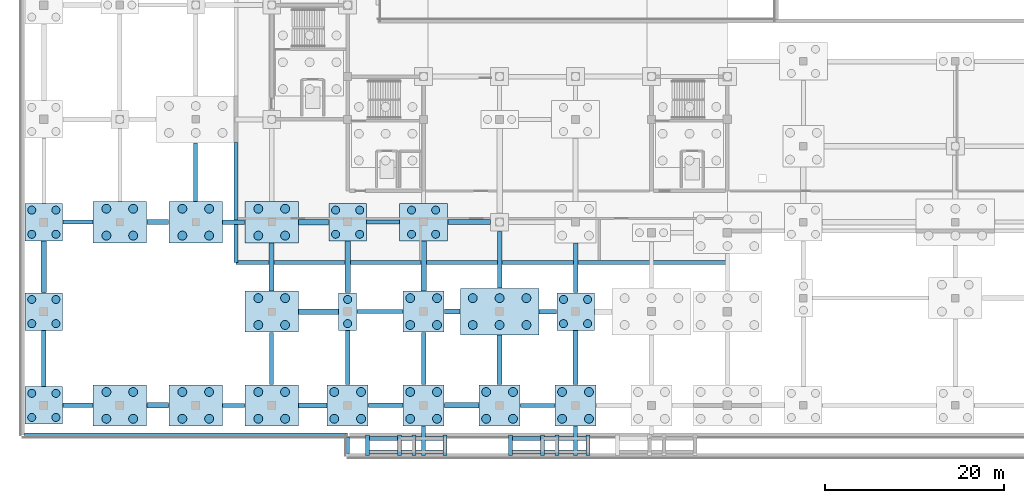
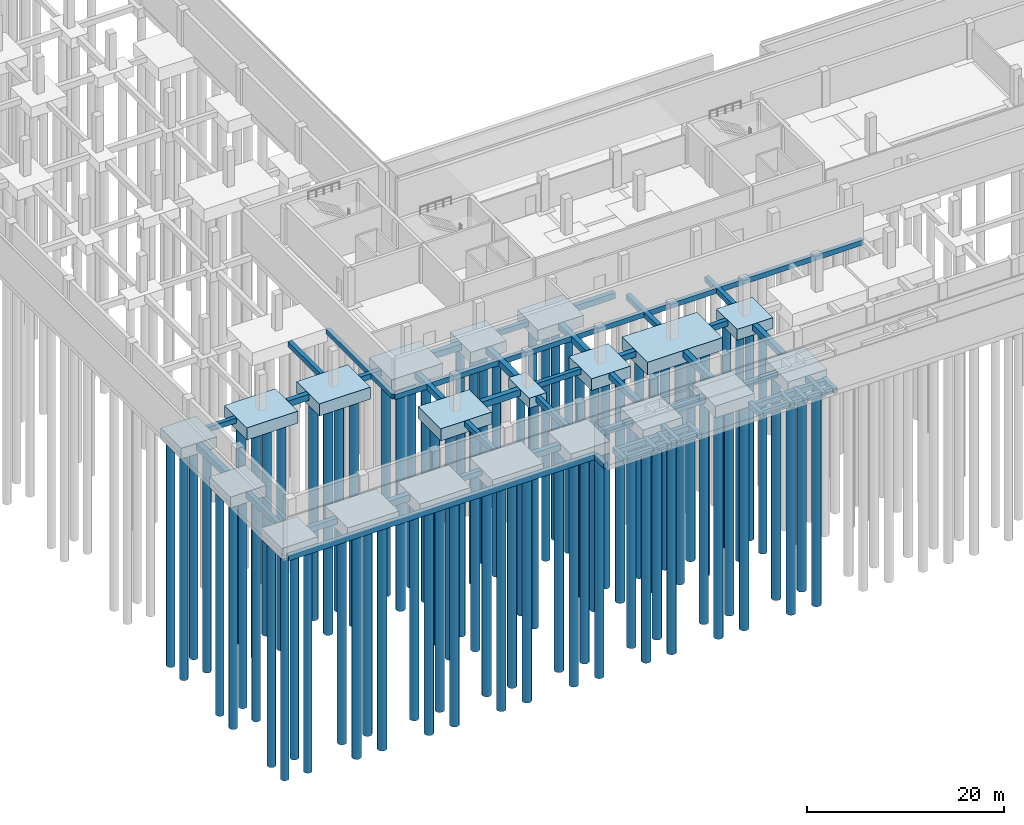
# One storey, part 1 of 25: 80 piles, 68 footings.
"""IFC4 building model written with IfcOpenShell, lengths in metres."""

import ifcopenshell
import ifcopenshell.guid

model = None  # the IFC model being written
_history = None  # IfcOwnerHistory: only IFC2X3 demands one
_inside = {}  # id of a spatial element -> (the spatial element, [elements in it])
_under = {}  # id of a project, library or spatial element -> (it, [spatial elements below it])
_declared = {}  # id of a project -> (the project, [libraries it declares])
_typed = {}  # id of a type object -> (the type object, [elements of that type])
_made_of = {}  # id of a material, layer set ... -> (it, [elements and type objects made of it])


def new_model(schema):
    """Start an empty IFC model of exactly this schema.

    Asked for "IFC4X3", IfcOpenShell would pick the latest addendum, in which some entities
    have other attributes; the version numbers below select the first issue.
    IFC2X3 requires an IfcOwnerHistory on every rooted entity: one is made here for all.
    """
    global model, _history
    if schema == "IFC4X3":
        model = ifcopenshell.file(schema_version=(4, 3, 0, 0))
    else:
        model = ifcopenshell.file(schema=schema)
    _inside.clear()
    _under.clear()
    _declared.clear()
    _typed.clear()
    _made_of.clear()
    _history = None
    if model.schema == "IFC2X3":
        org = make("IfcOrganization", Name="unknown")
        user = make(
            "IfcPersonAndOrganization",
            ThePerson=make("IfcPerson", FamilyName="unknown"),
            TheOrganization=org,
        )
        app = make(
            "IfcApplication",
            ApplicationDeveloper=org,
            Version="unknown",
            ApplicationFullName="unknown",
            ApplicationIdentifier="unknown",
        )
        _history = make(
            "IfcOwnerHistory",
            OwningUser=user,
            OwningApplication=app,
            ChangeAction="ADDED",
            CreationDate=0,
        )
    return model


def make(cls, **values):
    """One entity of the class cls with the attributes given. An attribute that is None is left unset."""
    return model.create_entity(
        cls, **{name: value for name, value in values.items() if value is not None}
    )


def rooted(cls, **values):
    """An entity with a GlobalId (a new one), such as an element, a storey or a relation."""
    return make(cls, GlobalId=ifcopenshell.guid.new(), OwnerHistory=_history, **values)


def si_unit(unit_type, name, prefix=None):
    """IfcSIUnit, for example si_unit("LENGTHUNIT", "METRE", prefix="MILLI")."""
    return make("IfcSIUnit", UnitType=unit_type, Prefix=prefix, Name=name)


def assignment(units):
    """IfcUnitAssignment: the units of a project."""
    return None if units is None else make("IfcUnitAssignment", Units=units)


def point(xyz):
    """IfcCartesianPoint."""
    return None if xyz is None else make("IfcCartesianPoint", Coordinates=xyz)


def direction(xyz):
    """IfcDirection."""
    return None if xyz is None else make("IfcDirection", DirectionRatios=xyz)


def frame(location, z_axis=None, x_axis=None):
    """IfcAxis2Placement3D, a coordinate frame: its origin and axes. An axis left out is left unset."""
    return make(
        "IfcAxis2Placement3D",
        Location=point(location),
        Axis=direction(z_axis),
        RefDirection=direction(x_axis),
    )


def frame_2d(location, x_axis=None):
    """IfcAxis2Placement2D, a coordinate frame in the plane: its origin and x axis."""
    return make(
        "IfcAxis2Placement2D", Location=point(location), RefDirection=direction(x_axis)
    )


def origin():
    """The frame at (0, 0, 0) with its axes left unset."""
    return frame((0.0, 0.0, 0.0))


def origin_2d():
    """The frame at (0, 0) in the plane with its x axis left unset."""
    return frame_2d((0.0, 0.0))


def place(relative_to, where):
    """IfcLocalPlacement: puts the frame where relative to a parent placement (None: the world)."""
    return make(
        "IfcLocalPlacement", PlacementRelTo=relative_to, RelativePlacement=where
    )


def context(
    kind, dimensions, precision=None, world=None, true_north=None, identifier=None
):
    """IfcGeometricRepresentationContext, for example the 3D "Model" context."""
    return make(
        "IfcGeometricRepresentationContext",
        ContextIdentifier=identifier,
        ContextType=kind,
        CoordinateSpaceDimension=dimensions,
        Precision=precision,
        WorldCoordinateSystem=world,
        TrueNorth=true_north,
    )


def subcontext(parent, identifier, kind, view, scale=None):
    """IfcGeometricRepresentationSubContext, for example "Body" below "Model"."""
    return make(
        "IfcGeometricRepresentationSubContext",
        ContextIdentifier=identifier,
        ContextType=kind,
        ParentContext=parent,
        TargetScale=scale,
        TargetView=view,
    )


def project(units=None, contexts=None):
    """IfcProject with its units and contexts."""
    return rooted(
        "IfcProject",
        Name="project",
        RepresentationContexts=contexts,
        UnitsInContext=assignment(units),
    )


def spatial(cls, under=None, at=None, **own):
    """A site, building, storey or space (cls), placed at a placement, below another one or the project."""
    s = rooted(cls, ObjectPlacement=at, **own)
    if under is not None:
        _under.setdefault(under.id(), (under, []))[1].append(s)
    return s


def profile(cls, at=None, kind="AREA", **sizes):
    """A parametric profile (cls). Its sizes go by their IFC names, for example OverallWidth=200.0."""
    return make(cls, ProfileType=kind, Position=at, **sizes)


def rectangle(**sizes):
    """IfcRectangleProfileDef."""
    return profile("IfcRectangleProfileDef", **sizes)


def circle(**sizes):
    """IfcCircleProfileDef."""
    return profile("IfcCircleProfileDef", **sizes)


def extrude(swept, where, along, depth):
    """IfcExtrudedAreaSolid: the profile swept, set in the frame where, extruded along a direction by depth."""
    return make(
        "IfcExtrudedAreaSolid",
        SweptArea=swept,
        Position=where,
        ExtrudedDirection=direction(along),
        Depth=depth,
    )


def shape(context_of_items, identifier, shape_type, items):
    """IfcShapeRepresentation: the items that make up one representation, for example the "Body"."""
    return make(
        "IfcShapeRepresentation",
        ContextOfItems=context_of_items,
        RepresentationIdentifier=identifier,
        RepresentationType=shape_type,
        Items=items,
    )


def material(Name=None, Category=None):
    """IfcMaterial."""
    return make("IfcMaterial", Name=Name, Category=Category)


def material_profile(
    of_material, cross_section, Name=None, Category=None, Priority=None
):
    """IfcMaterialProfile: a cross section and its material."""
    return make(
        "IfcMaterialProfile",
        Name=Name,
        Material=of_material,
        Profile=cross_section,
        Priority=Priority,
        Category=Category,
    )


def profile_set(profiles, Name=None, composite=None):
    """IfcMaterialProfileSet."""
    return make(
        "IfcMaterialProfileSet",
        Name=Name,
        MaterialProfiles=profiles,
        CompositeProfile=composite,
    )


def made_of(thing, what):
    """Note that an element or type object is made of a material, layer set ...; save() writes the relation."""
    if what is not None:
        _made_of.setdefault(what.id(), (what, []))[1].append(thing)
    return thing


def type_object(cls, material=None, **own):
    """A type object (cls), such as IfcWallType, which elements share."""
    return made_of(rooted(cls, **own), material)


def element(
    cls,
    number,
    at=None,
    inside=None,
    cuts=None,
    type_object=None,
    material=None,
    context=None,
    identifier="Body",
    shape_type=None,
    held_by="IfcProductDefinitionShape",
    body=None,
    shapes=None,
    **own,
):
    """One element of the class cls, such as IfcWall. Its Tag is "e" and its number.

    at: its placement. inside: the storey or other place that contains it. cuts: it is an
    opening in that element (IfcRelVoidsElement). A single representation is given by context,
    identifier, shape_type and body (its items); several are given by shapes. held_by: the class
    of the entity that holds the representations. save() writes the other relations.
    """
    e = rooted(cls, Tag="e%d" % number, ObjectPlacement=at, **own)
    if body is not None:
        shapes = [shape(context, identifier, shape_type, body)]
    if shapes is not None:
        e.Representation = make(held_by, Representations=shapes)
    if inside is not None:
        _inside.setdefault(inside.id(), (inside, []))[1].append(e)
    if cuts is not None:
        rooted(
            "IfcRelVoidsElement", RelatingBuildingElement=cuts, RelatedOpeningElement=e
        )
    if type_object is not None:
        _typed.setdefault(type_object.id(), (type_object, []))[1].append(e)
    return made_of(e, material)


def aggregate(whole, parts):
    """IfcRelAggregates: a whole, such as a stair, and the parts it consists of."""
    return rooted("IfcRelAggregates", RelatingObject=whole, RelatedObjects=parts)


def save(model, path):
    """Write the relations noted so far, then the file.

    IfcRelAggregates (storeys below a building ...), IfcRelContainedInSpatialStructure (elements
    in a storey), IfcRelDefinesByType, IfcRelAssociatesMaterial and IfcRelDeclares: one each for
    every whole, place, type object, material and project.
    """
    for whole, parts in _under.values():
        aggregate(whole, parts)
    for where, things in _inside.values():
        rooted(
            "IfcRelContainedInSpatialStructure",
            RelatedElements=things,
            RelatingStructure=where,
        )
    for kind, things in _typed.values():
        rooted("IfcRelDefinesByType", RelatedObjects=things, RelatingType=kind)
    for what, things in _made_of.values():
        rooted("IfcRelAssociatesMaterial", RelatedObjects=things, RelatingMaterial=what)
    for by, libraries in _declared.values():
        rooted("IfcRelDeclares", RelatingContext=by, RelatedDefinitions=libraries)
    model.write(path)


model = new_model("IFC4")

# Units and contexts
model_context = context("Model", 3, precision=1e-05, world=origin(), true_north=direction((0.0, 1.0)))
body_context = subcontext(model_context, "Body", "Model", "MODEL_VIEW")
ifc_project = project(units=[si_unit("LENGTHUNIT", "METRE"), si_unit("AREAUNIT", "SQUARE_METRE"), si_unit("VOLUMEUNIT", "CUBIC_METRE"), si_unit("PLANEANGLEUNIT", "RADIAN"), si_unit("MASSUNIT", "GRAM", prefix="KILO")], contexts=[model_context])

# Site, building, storey
site_placement = place(None, origin())
site = spatial("IfcSite", under=ifc_project, at=site_placement, CompositionType="ELEMENT")
building_placement = place(site_placement, origin())
building = spatial("IfcBuilding", under=site, at=building_placement, Name="Solvikara Media Centre", CompositionType="ELEMENT")
storey_placement = place(building_placement, frame((0.0, 0.0, -4.800048828125)))
storey = spatial("IfcBuildingStorey", under=building, at=storey_placement, Name="B01", CompositionType="ELEMENT", Elevation=-4.800048828125)

# Piles
ifc_material = material(Name="Concrete fc' 35 MPa (C35/45)", Category="concrete")
ifc_material_profile_1 = material_profile(ifc_material, circle(Radius=0.449951171875, at=origin_2d()), Name="BORED PILE D900")
ifc_profile_set_1 = profile_set([ifc_material_profile_1], Name="Concrete fc' 35 MPa (C35/45)")
pile_type_1 = type_object("IfcPileType", Name="BP-01", PredefinedType="BORED", material=ifc_profile_set_1)
for number, where, z_axis, x_axis, name in (
    (1, (-1.35009765625, -1.35009765625, -1.25), (0.0, 0.0, -1.0), (1.0, 0.0, 0.0), "PL-005-01"),
    (2, (1.35009765625, -1.35009765625, -1.25), (0.0, 0.0, -1.0), (1.0, 0.0, 0.0), "PL-005-02"),
    (3, (-1.35009765625, 1.35009765625, -1.25), (0.0, 0.0, -1.0), (1.0, 0.0, 0.0), "PL-005-03"),
    (4, (1.35009765625, 1.35009765625, -1.25), (0.0, 0.0, -1.0), (1.0, 0.0, 0.0), "PL-005-04"),
    (5, (-1.35009765625, 9.14990234375, -1.25), (0.0, 0.0, -1.0), (1.0, 0.0, 0.0), "PL-006-01"),
    (6, (1.35009765625, 9.14990234375, -1.25), (0.0, 0.0, -1.0), (1.0, 0.0, 0.0), "PL-006-02"),
    (7, (-1.35009765625, 11.85009765625, -1.25), (0.0, 0.0, -1.0), (1.0, 0.0, 0.0), "PL-006-03"),
    (8, (1.35009765625, 11.85009765625, -1.25), (0.0, 0.0, -1.0), (1.0, 0.0, 0.0), "PL-006-04"),
    (9, (-1.35009765625, 19.14990234375, -1.25), (0.0, 0.0, -1.0), (1.0, 0.0, 0.0), "PL-007-01"),
    (10, (1.35009765625, 19.14990234375, -1.25), (0.0, 0.0, -1.0), (1.0, 0.0, 0.0), "PL-007-02"),
    (11, (-1.35009765625, 21.85009765625, -1.25), (0.0, 0.0, -1.0), (1.0, 0.0, 0.0), "PL-007-03"),
    (12, (1.35009765625, 21.85009765625, -1.25), (0.0, 0.0, -1.0), (1.0, 0.0, 0.0), "PL-007-04"),
    (13, (34.0, 9.14990234375, -1.14990234375), (0.0, 0.0, -1.0), (1.0, 0.0, 0.0), "PL-055-01"),
    (14, (34.0, 11.85009765625, -1.14990234375), (0.0, 0.0, -1.0), (1.0, 0.0, 0.0), "PL-055-02"),
    (15, (32.64990234375, 19.14990234375, -1.25), (0.0, 0.0, -1.0), (1.0, 0.0, 0.0), "PL-056-01"),
    (16, (35.35009765625, 19.14990234375, -1.25), (0.0, 0.0, -1.0), (1.0, 0.0, 0.0), "PL-056-02"),
    (17, (32.64990234375, 21.85009765625, -1.25), (0.0, 0.0, -1.0), (1.0, 0.0, 0.0), "PL-056-03"),
    (18, (35.35009765625, 21.85009765625, -1.25), (0.0, 0.0, -1.0), (1.0, 0.0, 0.0), "PL-056-04"),
    (19, (41.14990234375, 19.14990234375, -1.300048828125), (0.0, 0.0, -1.0), (1.0, 0.0, 0.0), "PL-059-01"),
    (20, (43.85009765625, 19.14990234375, -1.300048828125), (0.0, 0.0, -1.0), (1.0, 0.0, 0.0), "PL-059-02"),
    (21, (41.14990234375, 21.85009765625, -1.300048828125), (0.0, 0.0, -1.0), (1.0, 0.0, 0.0), "PL-059-03"),
    (22, (43.85009765625, 21.85009765625, -1.300048828125), (0.0, 0.0, -1.0), (1.0, 0.0, 0.0), "PL-059-04"),
    (23, (58.14990234375, 9.14990234375, -1.25), (0.0, 0.0, -1.0), (1.0, 0.0, 0.0), "PL-067-01"),
    (24, (60.85009765625, 9.14990234375, -1.25), (0.0, 0.0, -1.0), (1.0, 0.0, 0.0), "PL-067-02"),
    (25, (58.14990234375, 11.85009765625, -1.25), (0.0, 0.0, -1.0), (1.0, 0.0, 0.0), "PL-067-03"),
    (26, (60.85009765625, 11.85009765625, -1.25), (0.0, 0.0, -1.0), (1.0, 0.0, 0.0), "PL-067-04"),
):
    element("IfcPile", number, at=place(storey_placement, frame(where, z_axis=z_axis, x_axis=x_axis)), inside=storey, type_object=pile_type_1, Name=name, PredefinedType="BORED", context=body_context, shape_type="SweptSolid", body=[
        extrude(circle(Radius=0.449951171875, at=origin_2d()), origin(), (0.0, 0.0, 1.0), 28.0),
    ])
ifc_material_profile_2 = material_profile(ifc_material, circle(Radius=0.5, at=origin_2d()), Name="BORED PILE D1000")
ifc_profile_set_2 = profile_set([ifc_material_profile_2], Name="Concrete fc' 35 MPa (C35/45)")
pile_type_2 = type_object("IfcPileType", Name="BP-02", PredefinedType="BORED", material=ifc_profile_set_2)
for number, where, z_axis, x_axis, name in (
    (27, (7.0, -1.5, -1.39990234375), (0.0, 0.0, -1.0), (1.0, 0.0, 0.0), "PL-016-01"),
    (28, (10.0, -1.5, -1.39990234375), (0.0, 0.0, -1.0), (1.0, 0.0, 0.0), "PL-016-02"),
    (29, (7.0, 1.5, -1.39990234375), (0.0, 0.0, -1.0), (1.0, 0.0, 0.0), "PL-016-03"),
    (30, (10.0, 1.5, -1.39990234375), (0.0, 0.0, -1.0), (1.0, 0.0, 0.0), "PL-016-04"),
    (31, (7.0, 19.0, -1.39990234375), (0.0, 0.0, -1.0), (1.0, 0.0, 0.0), "PL-017-01"),
    (32, (10.0, 19.0, -1.39990234375), (0.0, 0.0, -1.0), (1.0, 0.0, 0.0), "PL-017-02"),
    (33, (7.0, 22.0, -1.39990234375), (0.0, 0.0, -1.0), (1.0, 0.0, 0.0), "PL-017-03"),
    (34, (10.0, 22.0, -1.39990234375), (0.0, 0.0, -1.0), (1.0, 0.0, 0.0), "PL-017-04"),
    (35, (15.5, -1.5, -1.39990234375), (0.0, 0.0, -1.0), (1.0, 0.0, 0.0), "PL-026-01"),
    (36, (18.5, -1.5, -1.39990234375), (0.0, 0.0, -1.0), (1.0, 0.0, 0.0), "PL-026-02"),
    (37, (15.5, 1.5, -1.39990234375), (0.0, 0.0, -1.0), (1.0, 0.0, 0.0), "PL-026-03"),
    (38, (18.5, 1.5, -1.39990234375), (0.0, 0.0, -1.0), (1.0, 0.0, 0.0), "PL-026-04"),
    (39, (15.5, 19.0, -1.39990234375), (0.0, 0.0, -1.0), (1.0, 0.0, 0.0), "PL-027-01"),
    (40, (18.5, 19.0, -1.39990234375), (0.0, 0.0, -1.0), (1.0, 0.0, 0.0), "PL-027-02"),
    (41, (15.5, 22.0, -1.39990234375), (0.0, 0.0, -1.0), (1.0, 0.0, 0.0), "PL-027-03"),
    (42, (18.5, 22.0, -1.39990234375), (0.0, 0.0, -1.0), (1.0, 0.0, 0.0), "PL-027-04"),
    (43, (24.0, -1.5, -1.39990234375), (0.0, 0.0, -1.0), (1.0, 0.0, 0.0), "PL-036-01"),
    (44, (27.0, -1.5, -1.39990234375), (0.0, 0.0, -1.0), (1.0, 0.0, 0.0), "PL-036-02"),
    (45, (24.0, 1.5, -1.39990234375), (0.0, 0.0, -1.0), (1.0, 0.0, 0.0), "PL-036-03"),
    (46, (27.0, 1.5, -1.39990234375), (0.0, 0.0, -1.0), (1.0, 0.0, 0.0), "PL-036-04"),
    (47, (24.0, 9.0, -1.39990234375), (0.0, 0.0, -1.0), (1.0, 0.0, 0.0), "PL-037-01"),
    (48, (27.0, 9.0, -1.39990234375), (0.0, 0.0, -1.0), (1.0, 0.0, 0.0), "PL-037-02"),
    (49, (24.0, 12.0, -1.39990234375), (0.0, 0.0, -1.0), (1.0, 0.0, 0.0), "PL-037-03"),
    (50, (27.0, 12.0, -1.39990234375), (0.0, 0.0, -1.0), (1.0, 0.0, 0.0), "PL-037-04"),
    (51, (24.0, 19.0, -1.39990234375), (0.0, 0.0, -1.0), (1.0, 0.0, 0.0), "PL-038-01"),
    (52, (27.0, 19.0, -1.39990234375), (0.0, 0.0, -1.0), (1.0, 0.0, 0.0), "PL-038-02"),
    (53, (24.0, 22.0, -1.39990234375), (0.0, 0.0, -1.0), (1.0, 0.0, 0.0), "PL-038-03"),
    (54, (27.0, 22.0, -1.39990234375), (0.0, 0.0, -1.0), (1.0, 0.0, 0.0), "PL-038-04"),
    (55, (32.5, -1.5, -1.349853515625), (0.0, 0.0, -1.0), (1.0, 0.0, 0.0), "PL-054-01"),
    (56, (35.5, -1.5, -1.349853515625), (0.0, 0.0, -1.0), (1.0, 0.0, 0.0), "PL-054-02"),
    (57, (32.5, 1.5, -1.349853515625), (0.0, 0.0, -1.0), (1.0, 0.0, 0.0), "PL-054-03"),
    (58, (35.5, 1.5, -1.349853515625), (0.0, 0.0, -1.0), (1.0, 0.0, 0.0), "PL-054-04"),
    (59, (41.0, -1.5, -1.349853515625), (0.0, 0.0, -1.0), (1.0, 0.0, 0.0), "PL-057-01"),
    (60, (44.0, -1.5, -1.349853515625), (0.0, 0.0, -1.0), (1.0, 0.0, 0.0), "PL-057-02"),
    (61, (41.0, 1.5, -1.349853515625), (0.0, 0.0, -1.0), (1.0, 0.0, 0.0), "PL-057-03"),
    (62, (44.0, 1.5, -1.349853515625), (0.0, 0.0, -1.0), (1.0, 0.0, 0.0), "PL-057-04"),
    (63, (41.0, 9.0, -1.349853515625), (0.0, 0.0, -1.0), (1.0, 0.0, 0.0), "PL-058-01"),
    (64, (44.0, 9.0, -1.349853515625), (0.0, 0.0, -1.0), (1.0, 0.0, 0.0), "PL-058-02"),
    (65, (41.0, 12.0, -1.349853515625), (0.0, 0.0, -1.0), (1.0, 0.0, 0.0), "PL-058-03"),
    (66, (44.0, 12.0, -1.349853515625), (0.0, 0.0, -1.0), (1.0, 0.0, 0.0), "PL-058-04"),
    (67, (49.5, -1.5, -1.349853515625), (0.0, 0.0, -1.0), (1.0, 0.0, 0.0), "PL-061-01"),
    (68, (52.5, -1.5, -1.349853515625), (0.0, 0.0, -1.0), (1.0, 0.0, 0.0), "PL-061-02"),
    (69, (49.5, 1.5, -1.349853515625), (0.0, 0.0, -1.0), (1.0, 0.0, 0.0), "PL-061-03"),
    (70, (52.5, 1.5, -1.349853515625), (0.0, 0.0, -1.0), (1.0, 0.0, 0.0), "PL-061-04"),
    (71, (48.0, 9.0, -1.5), (0.0, 0.0, -1.0), (1.0, 0.0, 0.0), "PL-062-01"),
    (72, (51.0, 9.0, -1.5), (0.0, 0.0, -1.0), (1.0, 0.0, 0.0), "PL-062-02"),
    (73, (54.0, 9.0, -1.5), (0.0, 0.0, -1.0), (1.0, 0.0, 0.0), "PL-062-03"),
    (74, (48.0, 12.0, -1.5), (0.0, 0.0, -1.0), (1.0, 0.0, 0.0), "PL-062-04"),
    (75, (51.0, 12.0, -1.5), (0.0, 0.0, -1.0), (1.0, 0.0, 0.0), "PL-062-05"),
    (76, (54.0, 12.0, -1.5), (0.0, 0.0, -1.0), (1.0, 0.0, 0.0), "PL-062-06"),
    (77, (58.0, -1.5, -1.349853515625), (0.0, 0.0, -1.0), (1.0, 0.0, 0.0), "PL-066-01"),
    (78, (61.0, -1.5, -1.349853515625), (0.0, 0.0, -1.0), (1.0, 0.0, 0.0), "PL-066-02"),
    (79, (58.0, 1.5, -1.349853515625), (0.0, 0.0, -1.0), (1.0, 0.0, 0.0), "PL-066-03"),
    (80, (61.0, 1.5, -1.349853515625), (0.0, 0.0, -1.0), (1.0, 0.0, 0.0), "PL-066-04"),
):
    element("IfcPile", number, at=place(storey_placement, frame(where, z_axis=z_axis, x_axis=x_axis)), inside=storey, type_object=pile_type_2, Name=name, PredefinedType="BORED", context=body_context, shape_type="SweptSolid", body=[
        extrude(circle(Radius=0.5, at=origin_2d()), origin(), (0.0, 0.0, 1.0), 28.0),
    ])

# Footings
footing_type_1 = type_object("IfcFootingType", Name="FT-03", PredefinedType="PILE_CAP", material=ifc_material)
footing_1_placement = place(storey_placement, frame((34.0, 10.5, -1.25), z_axis=(0.0, 0.0, 1.0), x_axis=(1.0, 0.0, 0.0)))
element("IfcFooting", 81, at=footing_1_placement, inside=storey, type_object=footing_type_1, Name="PC-055", PredefinedType="PILE_CAP", context=body_context, shape_type="SweptSolid", body=[
    extrude(rectangle(XDim=2.0, YDim=4.199951171875, at=origin_2d()), origin(), (0.0, 0.0, 1.0), 1.25),
])
footing_type_2 = type_object("IfcFootingType", Name="FT-04", PredefinedType="PILE_CAP", material=ifc_material)
for number, where, z_axis, x_axis, name in (
    (82, (0.0, 0.0, -1.35009765625), (0.0, 0.0, 1.0), (1.0, 0.0, 0.0), "PC-005"),
    (83, (0.0, 10.5, -1.35009765625), (0.0, 0.0, 1.0), (1.0, 0.0, 0.0), "PC-006"),
    (84, (0.0, 20.5, -1.35009765625), (0.0, 0.0, 1.0), (1.0, 0.0, 0.0), "PC-007"),
    (85, (34.0, 20.5, -1.35009765625), (0.0, 0.0, 1.0), (1.0, 0.0, 0.0), "PC-056"),
    (86, (59.5, 10.5, -1.35009765625), (0.0, 0.0, 1.0), (1.0, 0.0, 0.0), "PC-067"),
):
    element("IfcFooting", number, at=place(storey_placement, frame(where, z_axis=z_axis, x_axis=x_axis)), inside=storey, type_object=footing_type_2, Name=name, PredefinedType="PILE_CAP", context=body_context, shape_type="SweptSolid", body=[
        extrude(rectangle(XDim=4.199951171875, YDim=4.199951171875, at=origin_2d()), origin(), (0.0, 0.0, 1.0), 1.35009765625),
    ])
footing_type_3 = type_object("IfcFootingType", Name="FT-05", PredefinedType="PILE_CAP", material=ifc_material)
for number, where, z_axis, x_axis, name in (
    (87, (34.0, 0.0, -1.44970703125), (0.0, 0.0, 1.0), (1.0, 0.0, 0.0), "PC-054"),
    (88, (42.5, 0.0, -1.44970703125), (0.0, 0.0, 1.0), (1.0, 0.0, 0.0), "PC-057"),
    (89, (42.5, 10.5, -1.44970703125), (0.0, 0.0, 1.0), (1.0, 0.0, 0.0), "PC-058"),
    (90, (51.0, 0.0, -1.44970703125), (0.0, 0.0, 1.0), (1.0, 0.0, 0.0), "PC-061"),
    (91, (59.5, 0.0, -1.44970703125), (0.0, 0.0, 1.0), (1.0, 0.0, 0.0), "PC-066"),
):
    element("IfcFooting", number, at=place(storey_placement, frame(where, z_axis=z_axis, x_axis=x_axis)), inside=storey, type_object=footing_type_3, Name=name, PredefinedType="PILE_CAP", context=body_context, shape_type="SweptSolid", body=[
        extrude(rectangle(XDim=4.60009765625, YDim=4.60009765625, at=origin_2d()), origin(), (0.0, 0.0, 1.0), 1.449951171875),
    ])
footing_type_4 = type_object("IfcFootingType", Name="FT-08", PredefinedType="PILE_CAP", material=ifc_material)
footing_2_placement = place(storey_placement, frame((42.5, 20.5, -1.39990234375), z_axis=(0.0, 0.0, 1.0), x_axis=(1.0, 0.0, 0.0)))
element("IfcFooting", 92, at=footing_2_placement, inside=storey, type_object=footing_type_4, Name="PC-059", PredefinedType="PILE_CAP", context=body_context, shape_type="SweptSolid", body=[
    extrude(rectangle(XDim=5.39990234375, YDim=4.199951171875, at=origin_2d()), origin(), (0.0, 0.0, 1.0), 1.39990234375),
])
footing_type_5 = type_object("IfcFootingType", Name="FT-09", PredefinedType="PILE_CAP", material=ifc_material)
for number, where, z_axis, x_axis, name in (
    (93, (8.5, 0.0, -1.5), (0.0, 0.0, 1.0), (1.0, 0.0, 0.0), "PC-016"),
    (94, (8.5, 20.5, -1.5), (0.0, 0.0, 1.0), (1.0, 0.0, 0.0), "PC-017"),
    (95, (17.0, 0.0, -1.5), (0.0, 0.0, 1.0), (1.0, 0.0, 0.0), "PC-026"),
    (96, (17.0, 20.5, -1.5), (0.0, 0.0, 1.0), (1.0, 0.0, 0.0), "PC-027"),
    (97, (25.5, 0.0, -1.5), (0.0, 0.0, 1.0), (1.0, 0.0, 0.0), "PC-036"),
    (98, (25.5, 10.5, -1.5), (0.0, 0.0, 1.0), (1.0, 0.0, 0.0), "PC-037"),
    (99, (25.5, 20.5, -1.5), (0.0, 0.0, 1.0), (1.0, 0.0, 0.0), "PC-038"),
):
    element("IfcFooting", number, at=place(storey_placement, frame(where, z_axis=z_axis, x_axis=x_axis)), inside=storey, type_object=footing_type_5, Name=name, PredefinedType="PILE_CAP", context=body_context, shape_type="SweptSolid", body=[
        extrude(rectangle(XDim=6.0, YDim=4.60009765625, at=origin_2d()), origin(), (0.0, 0.0, 1.0), 1.5),
    ])
footing_type_6 = type_object("IfcFootingType", Name="FT-10", PredefinedType="PILE_CAP", material=ifc_material)
footing_3_placement = place(storey_placement, frame((51.0, 10.5, -1.60009765625), z_axis=(0.0, 0.0, 1.0), x_axis=(1.0, 0.0, 0.0)))
element("IfcFooting", 100, at=footing_3_placement, inside=storey, type_object=footing_type_6, Name="PC-062", PredefinedType="PILE_CAP", context=body_context, shape_type="SweptSolid", body=[
    extrude(rectangle(XDim=8.800048828125, YDim=5.199951171875, at=origin_2d()), origin(), (0.0, 0.0, 1.0), 1.60009765625),
])
ifc_material_profile_3 = material_profile(ifc_material, rectangle(XDim=0.5, YDim=0.699951171875, at=origin_2d()), Name="RC 500x700")
ifc_profile_set_3 = profile_set([ifc_material_profile_3], Name="Concrete fc' 35 MPa (C35/45)")
footing_type_7 = type_object("IfcFootingType", Name="FT-11", PredefinedType="FOOTING_BEAM", material=ifc_profile_set_3)
footing_4_placement = place(storey_placement, frame((2.1201171875, 0.0, -0.349853515625), z_axis=(1.0, 0.0, 0.0), x_axis=(0.0, 1.0, 0.0)))
element("IfcFooting", 101, at=footing_4_placement, inside=storey, type_object=footing_type_7, Name="FTB-001", PredefinedType="FOOTING_BEAM", context=body_context, shape_type="SweptSolid", body=[
    extrude(rectangle(XDim=0.5, YDim=0.699951171875, at=origin_2d()), origin(), (0.0, 0.0, 1.0), 3.35986328125),
])
footing_5_placement = place(storey_placement, frame((36.320068359375, 0.0, -0.349853515625), z_axis=(1.0, 0.0, 0.0), x_axis=(0.0, 1.0, 0.0)))
element("IfcFooting", 102, at=footing_5_placement, inside=storey, type_object=footing_type_7, Name="FTB-005", PredefinedType="FOOTING_BEAM", context=body_context, shape_type="SweptSolid", body=[
    extrude(rectangle(XDim=0.5, YDim=0.699951171875, at=origin_2d()), origin(), (0.0, 0.0, 1.0), 3.85986328125),
])
footing_6_placement = place(storey_placement, frame((55.419921875, 10.5, -0.349853515625), z_axis=(1.0, 0.0, 0.0), x_axis=(0.0, 1.0, 0.0)))
element("IfcFooting", 103, at=footing_6_placement, inside=storey, type_object=footing_type_7, Name="FTB-025", PredefinedType="FOOTING_BEAM", context=body_context, shape_type="SweptSolid", body=[
    extrude(rectangle(XDim=0.5, YDim=0.699951171875, at=origin_2d()), origin(), (0.0, 0.0, 1.0), 1.9599609375),
])
footing_7_placement = place(storey_placement, frame((20.02001953125, 20.5, -0.349853515625), z_axis=(1.0, 0.0, 0.0), x_axis=(0.0, 1.0, 0.0)))
element("IfcFooting", 104, at=footing_7_placement, inside=storey, type_object=footing_type_7, Name="FTB-033", PredefinedType="FOOTING_BEAM", context=body_context, shape_type="SweptSolid", body=[
    extrude(rectangle(XDim=0.5, YDim=0.699951171875, at=origin_2d()), origin(), (0.0, 0.0, 1.0), 2.4599609375),
])
footing_8_placement = place(storey_placement, frame((0.0, 2.1201171875, -0.349853515625), z_axis=(0.0, 1.0, 0.0), x_axis=(-1.0, 0.0, 0.0)))
element("IfcFooting", 105, at=footing_8_placement, inside=storey, type_object=footing_type_7, Name="FTB-109", PredefinedType="FOOTING_BEAM", context=body_context, shape_type="SweptSolid", body=[
    extrude(rectangle(XDim=0.5, YDim=0.699951171875, at=origin_2d()), origin(), (0.0, 0.0, 1.0), 6.259765625),
])
footing_9_placement = place(storey_placement, frame((34.0, 2.320068359375, -0.349853515625), z_axis=(0.0, 1.0, 0.0), x_axis=(-1.0, 0.0, 0.0)))
element("IfcFooting", 106, at=footing_9_placement, inside=storey, type_object=footing_type_7, Name="FTB-145", PredefinedType="FOOTING_BEAM", context=body_context, shape_type="SweptSolid", body=[
    extrude(rectangle(XDim=0.5, YDim=0.699951171875, at=origin_2d()), origin(), (0.0, 0.0, 1.0), 6.059814453125),
])
footing_10_placement = place(storey_placement, frame((42.5, 2.320068359375, -0.349853515625), z_axis=(0.0, 1.0, 0.0), x_axis=(-1.0, 0.0, 0.0)))
element("IfcFooting", 107, at=footing_10_placement, inside=storey, type_object=footing_type_7, Name="FTB-153", PredefinedType="FOOTING_BEAM", context=body_context, shape_type="SweptSolid", body=[
    extrude(rectangle(XDim=0.5, YDim=0.699951171875, at=origin_2d()), origin(), (0.0, 0.0, 1.0), 5.85986328125),
])
footing_11_placement = place(storey_placement, frame((51.0, 13.1201171875, -0.349853515625), z_axis=(0.0, 1.0, 0.0), x_axis=(-1.0, 0.0, 0.0)))
element("IfcFooting", 108, at=footing_11_placement, inside=storey, type_object=footing_type_7, Name="FTB-157", PredefinedType="FOOTING_BEAM", context=body_context, shape_type="SweptSolid", body=[
    extrude(rectangle(XDim=0.5, YDim=0.699951171875, at=origin_2d()), origin(), (0.0, 0.0, 1.0), 6.35986328125),
])
footing_12_placement = place(storey_placement, frame((59.5, 12.6201171875, -0.349853515625), z_axis=(0.0, 1.0, 0.0), x_axis=(-1.0, 0.0, 0.0)))
element("IfcFooting", 109, at=footing_12_placement, inside=storey, type_object=footing_type_7, Name="FTB-161", PredefinedType="FOOTING_BEAM", context=body_context, shape_type="SweptSolid", body=[
    extrude(rectangle(XDim=0.5, YDim=0.699951171875, at=origin_2d()), origin(), (0.0, 0.0, 1.0), 5.559814453125),
])
ifc_material_profile_4 = material_profile(ifc_material, rectangle(XDim=0.60009765625, YDim=0.800048828125, at=origin_2d()), Name="RC 600x800")
ifc_profile_set_4 = profile_set([ifc_material_profile_4], Name="Concrete fc' 35 MPa (C35/45)")
footing_type_8 = type_object("IfcFootingType", Name="FT-12", PredefinedType="FOOTING_BEAM", material=ifc_profile_set_4)
footing_13_placement = place(storey_placement, frame((11.52001953125, 0.0, -0.39990234375), z_axis=(1.0, 0.0, 0.0), x_axis=(0.0, 1.0, 0.0)))
element("IfcFooting", 110, at=footing_13_placement, inside=storey, type_object=footing_type_8, Name="FTB-002", PredefinedType="FOOTING_BEAM", context=body_context, shape_type="SweptSolid", body=[
    extrude(rectangle(XDim=0.60009765625, YDim=0.800048828125, at=origin_2d()), origin(), (0.0, 0.0, 1.0), 2.4599609375),
])
footing_14_placement = place(storey_placement, frame((44.820068359375, 0.0, -0.39990234375), z_axis=(1.0, 0.0, 0.0), x_axis=(0.0, 1.0, 0.0)))
element("IfcFooting", 111, at=footing_14_placement, inside=storey, type_object=footing_type_8, Name="FTB-006", PredefinedType="FOOTING_BEAM", context=body_context, shape_type="SweptSolid", body=[
    extrude(rectangle(XDim=0.60009765625, YDim=0.800048828125, at=origin_2d()), origin(), (0.0, 0.0, 1.0), 3.85986328125),
])
footing_15_placement = place(storey_placement, frame((28.52001953125, 10.5, -0.39990234375), z_axis=(1.0, 0.0, 0.0), x_axis=(0.0, 1.0, 0.0)))
element("IfcFooting", 112, at=footing_15_placement, inside=storey, type_object=footing_type_8, Name="FTB-022", PredefinedType="FOOTING_BEAM", context=body_context, shape_type="SweptSolid", body=[
    extrude(rectangle(XDim=0.60009765625, YDim=0.800048828125, at=origin_2d()), origin(), (0.0, 0.0, 1.0), 4.4599609375),
])
footing_16_placement = place(storey_placement, frame((28.52001953125, 20.5, -0.39990234375), z_axis=(1.0, 0.0, 0.0), x_axis=(0.0, 1.0, 0.0)))
element("IfcFooting", 113, at=footing_16_placement, inside=storey, type_object=footing_type_8, Name="FTB-034", PredefinedType="FOOTING_BEAM", context=body_context, shape_type="SweptSolid", body=[
    extrude(rectangle(XDim=0.60009765625, YDim=0.800048828125, at=origin_2d()), origin(), (0.0, 0.0, 1.0), 3.35986328125),
])
for number, where, z_axis, x_axis, name in (
    (114, (0.0, 12.6201171875, -0.39990234375), (0.0, 1.0, 0.0), (-1.0, 0.0, 0.0), "FTB-110"),
    (115, (34.0, 12.6201171875, -0.39990234375), (0.0, 1.0, 0.0), (-1.0, 0.0, 0.0), "FTB-146"),
):
    element("IfcFooting", number, at=place(storey_placement, frame(where, z_axis=z_axis, x_axis=x_axis)), inside=storey, type_object=footing_type_8, Name=name, PredefinedType="FOOTING_BEAM", context=body_context, shape_type="SweptSolid", body=[
        extrude(rectangle(XDim=0.60009765625, YDim=0.800048828125, at=origin_2d()), origin(), (0.0, 0.0, 1.0), 5.759765625),
    ])
footing_17_placement = place(storey_placement, frame((42.5, 12.820068359375, -0.39990234375), z_axis=(0.0, 1.0, 0.0), x_axis=(-1.0, 0.0, 0.0)))
element("IfcFooting", 116, at=footing_17_placement, inside=storey, type_object=footing_type_8, Name="FTB-154", PredefinedType="FOOTING_BEAM", context=body_context, shape_type="SweptSolid", body=[
    extrude(rectangle(XDim=0.60009765625, YDim=0.800048828125, at=origin_2d()), origin(), (0.0, 0.0, 1.0), 5.559814453125),
])
ifc_material_profile_5 = material_profile(ifc_material, rectangle(XDim=0.449951171875, YDim=0.64990234375, at=origin_2d()), Name="RC 450x650")
ifc_profile_set_5 = profile_set([ifc_material_profile_5], Name="Concrete fc' 35 MPa (C35/45)")
footing_type_9 = type_object("IfcFootingType", Name="FT-13", PredefinedType="FOOTING_BEAM", material=ifc_profile_set_5)
footing_18_placement = place(storey_placement, frame((20.02001953125, 0.0, -0.324951171875), z_axis=(1.0, 0.0, 0.0), x_axis=(0.0, 1.0, 0.0)))
element("IfcFooting", 117, at=footing_18_placement, inside=storey, type_object=footing_type_9, Name="FTB-003", PredefinedType="FOOTING_BEAM", context=body_context, shape_type="SweptSolid", body=[
    extrude(rectangle(XDim=0.449951171875, YDim=0.64990234375, at=origin_2d()), origin(), (0.0, 0.0, 1.0), 2.4599609375),
])
footing_19_placement = place(storey_placement, frame((53.320068359375, 0.0, -0.324951171875), z_axis=(1.0, 0.0, 0.0), x_axis=(0.0, 1.0, 0.0)))
element("IfcFooting", 118, at=footing_19_placement, inside=storey, type_object=footing_type_9, Name="FTB-007", PredefinedType="FOOTING_BEAM", context=body_context, shape_type="SweptSolid", body=[
    extrude(rectangle(XDim=0.449951171875, YDim=0.64990234375, at=origin_2d()), origin(), (0.0, 0.0, 1.0), 3.85986328125),
])
footing_20_placement = place(storey_placement, frame((35.02001953125, 10.5, -0.324951171875), z_axis=(1.0, 0.0, 0.0), x_axis=(0.0, 1.0, 0.0)))
element("IfcFooting", 119, at=footing_20_placement, inside=storey, type_object=footing_type_9, Name="FTB-023", PredefinedType="FOOTING_BEAM", context=body_context, shape_type="SweptSolid", body=[
    extrude(rectangle(XDim=0.449951171875, YDim=0.64990234375, at=origin_2d()), origin(), (0.0, 0.0, 1.0), 5.159912109375),
])
footing_21_placement = place(storey_placement, frame((2.1201171875, 20.5, -0.324951171875), z_axis=(1.0, 0.0, 0.0), x_axis=(0.0, 1.0, 0.0)))
element("IfcFooting", 120, at=footing_21_placement, inside=storey, type_object=footing_type_9, Name="FTB-031", PredefinedType="FOOTING_BEAM", context=body_context, shape_type="SweptSolid", body=[
    extrude(rectangle(XDim=0.449951171875, YDim=0.64990234375, at=origin_2d()), origin(), (0.0, 0.0, 1.0), 3.35986328125),
])
footing_22_placement = place(storey_placement, frame((36.1201171875, 20.5, -0.324951171875), z_axis=(1.0, 0.0, 0.0), x_axis=(0.0, 1.0, 0.0)))
element("IfcFooting", 121, at=footing_22_placement, inside=storey, type_object=footing_type_9, Name="FTB-035", PredefinedType="FOOTING_BEAM", context=body_context, shape_type="SweptSolid", body=[
    extrude(rectangle(XDim=0.449951171875, YDim=0.64990234375, at=origin_2d()), origin(), (0.0, 0.0, 1.0), 3.659912109375),
])
footing_23_placement = place(storey_placement, frame((17.0, 22.820068359375, -0.324951171875), z_axis=(0.0, 1.0, 0.0), x_axis=(-1.0, 0.0, 0.0)))
element("IfcFooting", 122, at=footing_23_placement, inside=storey, type_object=footing_type_9, Name="FTB-127", PredefinedType="FOOTING_BEAM", context=body_context, shape_type="SweptSolid", body=[
    extrude(rectangle(XDim=0.449951171875, YDim=0.64990234375, at=origin_2d()), origin(), (0.0, 0.0, 1.0), 6.559814453125),
])
footing_24_placement = place(storey_placement, frame((25.5, 2.320068359375, -0.324951171875), z_axis=(0.0, 1.0, 0.0), x_axis=(-1.0, 0.0, 0.0)))
element("IfcFooting", 123, at=footing_24_placement, inside=storey, type_object=footing_type_9, Name="FTB-135", PredefinedType="FOOTING_BEAM", context=body_context, shape_type="SweptSolid", body=[
    extrude(rectangle(XDim=0.449951171875, YDim=0.64990234375, at=origin_2d()), origin(), (0.0, 0.0, 1.0), 5.85986328125),
])
footing_25_placement = place(storey_placement, frame((21.5, 16.0, -0.324951171875), z_axis=(1.0, 0.0, 0.0), x_axis=(0.0, 1.0, 0.0)))
element("IfcFooting", 124, at=footing_25_placement, inside=storey, type_object=footing_type_9, Name="FTB-223", PredefinedType="FOOTING_BEAM", context=body_context, shape_type="SweptSolid", body=[
    extrude(rectangle(XDim=0.449951171875, YDim=0.64990234375, at=origin_2d()), origin(), (0.0, 0.0, 1.0), 55.0),
])
footing_26_placement = place(storey_placement, frame((21.5, 16.0, -0.324951171875), z_axis=(0.0, 1.0, 0.0), x_axis=(-1.0, 0.0, 0.0)))
element("IfcFooting", 125, at=footing_26_placement, inside=storey, type_object=footing_type_9, Name="FTB-224", PredefinedType="FOOTING_BEAM", context=body_context, shape_type="SweptSolid", body=[
    extrude(rectangle(XDim=0.449951171875, YDim=0.64990234375, at=origin_2d()), origin(), (0.0, 0.0, 1.0), 13.39990234375),
])
footing_27_placement = place(storey_placement, frame((-2.14990234375, -3.330078125, -0.324951171875), z_axis=(1.0, 0.0, 0.0), x_axis=(0.0, 1.0, 0.0)))
element("IfcFooting", 126, at=footing_27_placement, inside=storey, type_object=footing_type_9, Name="FTB-247", PredefinedType="FOOTING_BEAM", context=body_context, shape_type="SweptSolid", body=[
    extrude(rectangle(XDim=0.449951171875, YDim=0.64990234375, at=origin_2d()), origin(), (0.0, 0.0, 1.0), 36.14990234375),
])
footing_28_placement = place(storey_placement, frame((34.0, -5.39990234375, -0.324951171875), z_axis=(0.0, 1.0, 0.0), x_axis=(-1.0, 0.0, 0.0)))
element("IfcFooting", 127, at=footing_28_placement, inside=storey, type_object=footing_type_9, Name="FTB-251", PredefinedType="FOOTING_BEAM", context=body_context, shape_type="SweptSolid", body=[
    extrude(rectangle(XDim=0.449951171875, YDim=0.64990234375, at=origin_2d()), origin(), (0.0, 0.0, 1.0), 1.83984375),
])
for number, where, z_axis, x_axis, name in (
    (128, (36.199951171875, -5.199951171875, -0.324951171875), (1.0, 0.0, 0.0), (0.0, 1.0, 0.0), "FTB-256"),
    (129, (36.199951171875, -3.699951171875, -0.324951171875), (1.0, 0.0, 0.0), (0.0, 1.0, 0.0), "FTB-257"),
):
    element("IfcFooting", number, at=place(storey_placement, frame(where, z_axis=z_axis, x_axis=x_axis)), inside=storey, type_object=footing_type_9, Name=name, PredefinedType="FOOTING_BEAM", context=body_context, shape_type="SweptSolid", body=[
        extrude(rectangle(XDim=0.449951171875, YDim=0.64990234375, at=origin_2d()), origin(), (0.0, 0.0, 1.0), 8.679931640625),
    ])
for number, where, z_axis, x_axis, name in (
    (130, (36.199951171875, -5.6298828125, -0.324951171875), (0.0, 1.0, 0.0), (-1.0, 0.0, 0.0), "FTB-258"),
    (131, (39.800048828125, -5.6298828125, -0.324951171875), (0.0, 1.0, 0.0), (-1.0, 0.0, 0.0), "FTB-259"),
    (132, (41.39990234375, -5.6298828125, -0.324951171875), (0.0, 1.0, 0.0), (-1.0, 0.0, 0.0), "FTB-260"),
    (133, (44.8798828125, -5.6298828125, -0.324951171875), (0.0, 1.0, 0.0), (-1.0, 0.0, 0.0), "FTB-261"),
):
    element("IfcFooting", number, at=place(storey_placement, frame(where, z_axis=z_axis, x_axis=x_axis)), inside=storey, type_object=footing_type_9, Name=name, PredefinedType="FOOTING_BEAM", context=body_context, shape_type="SweptSolid", body=[
        extrude(rectangle(XDim=0.449951171875, YDim=0.64990234375, at=origin_2d()), origin(), (0.0, 0.0, 1.0), 2.2998046875),
    ])
footing_29_placement = place(storey_placement, frame((42.5, -5.6298828125, -0.324951171875), z_axis=(0.0, 1.0, 0.0), x_axis=(-1.0, 0.0, 0.0)))
element("IfcFooting", 134, at=footing_29_placement, inside=storey, type_object=footing_type_9, Name="FTB-262", PredefinedType="FOOTING_BEAM", context=body_context, shape_type="SweptSolid", body=[
    extrude(rectangle(XDim=0.449951171875, YDim=0.64990234375, at=origin_2d()), origin(), (0.0, 0.0, 1.0), 3.329833984375),
])
for number, where, z_axis, x_axis, name in (
    (135, (52.199951171875, -5.199951171875, -0.324951171875), (1.0, 0.0, 0.0), (0.0, 1.0, 0.0), "FTB-263"),
    (136, (52.199951171875, -3.699951171875, -0.324951171875), (1.0, 0.0, 0.0), (0.0, 1.0, 0.0), "FTB-264"),
):
    element("IfcFooting", number, at=place(storey_placement, frame(where, z_axis=z_axis, x_axis=x_axis)), inside=storey, type_object=footing_type_9, Name=name, PredefinedType="FOOTING_BEAM", context=body_context, shape_type="SweptSolid", body=[
        extrude(rectangle(XDim=0.449951171875, YDim=0.64990234375, at=origin_2d()), origin(), (0.0, 0.0, 1.0), 8.679931640625),
    ])
for number, where, z_axis, x_axis, name in (
    (137, (52.199951171875, -5.6298828125, -0.324951171875), (0.0, 1.0, 0.0), (-1.0, 0.0, 0.0), "FTB-265"),
    (138, (55.800048828125, -5.6298828125, -0.324951171875), (0.0, 1.0, 0.0), (-1.0, 0.0, 0.0), "FTB-266"),
    (139, (57.39990234375, -5.6298828125, -0.324951171875), (0.0, 1.0, 0.0), (-1.0, 0.0, 0.0), "FTB-267"),
    (140, (60.8798828125, -5.6298828125, -0.324951171875), (0.0, 1.0, 0.0), (-1.0, 0.0, 0.0), "FTB-268"),
):
    element("IfcFooting", number, at=place(storey_placement, frame(where, z_axis=z_axis, x_axis=x_axis)), inside=storey, type_object=footing_type_9, Name=name, PredefinedType="FOOTING_BEAM", context=body_context, shape_type="SweptSolid", body=[
        extrude(rectangle(XDim=0.449951171875, YDim=0.64990234375, at=origin_2d()), origin(), (0.0, 0.0, 1.0), 2.2998046875),
    ])
footing_30_placement = place(storey_placement, frame((59.5, -5.6298828125, -0.324951171875), z_axis=(0.0, 1.0, 0.0), x_axis=(-1.0, 0.0, 0.0)))
element("IfcFooting", 141, at=footing_30_placement, inside=storey, type_object=footing_type_9, Name="FTB-269", PredefinedType="FOOTING_BEAM", context=body_context, shape_type="SweptSolid", body=[
    extrude(rectangle(XDim=0.449951171875, YDim=0.64990234375, at=origin_2d()), origin(), (0.0, 0.0, 1.0), 3.329833984375),
])
ifc_material_profile_6 = material_profile(ifc_material, rectangle(XDim=0.550048828125, YDim=0.75, at=origin_2d()), Name="RC 550x750")
ifc_profile_set_6 = profile_set([ifc_material_profile_6], Name="Concrete fc' 35 MPa (C35/45)")
footing_type_10 = type_object("IfcFootingType", Name="FT-14", PredefinedType="FOOTING_BEAM", material=ifc_profile_set_6)
footing_31_placement = place(storey_placement, frame((28.52001953125, 0.0, -0.375), z_axis=(1.0, 0.0, 0.0), x_axis=(0.0, 1.0, 0.0)))
element("IfcFooting", 142, at=footing_31_placement, inside=storey, type_object=footing_type_10, Name="FTB-004", PredefinedType="FOOTING_BEAM", context=body_context, shape_type="SweptSolid", body=[
    extrude(rectangle(XDim=0.550048828125, YDim=0.75, at=origin_2d()), origin(), (0.0, 0.0, 1.0), 3.159912109375),
])
footing_32_placement = place(storey_placement, frame((44.820068359375, 10.5, -0.375), z_axis=(1.0, 0.0, 0.0), x_axis=(0.0, 1.0, 0.0)))
element("IfcFooting", 143, at=footing_32_placement, inside=storey, type_object=footing_type_10, Name="FTB-024", PredefinedType="FOOTING_BEAM", context=body_context, shape_type="SweptSolid", body=[
    extrude(rectangle(XDim=0.550048828125, YDim=0.75, at=origin_2d()), origin(), (0.0, 0.0, 1.0), 1.760009765625),
])
footing_33_placement = place(storey_placement, frame((11.52001953125, 20.5, -0.375), z_axis=(1.0, 0.0, 0.0), x_axis=(0.0, 1.0, 0.0)))
element("IfcFooting", 144, at=footing_33_placement, inside=storey, type_object=footing_type_10, Name="FTB-032", PredefinedType="FOOTING_BEAM", context=body_context, shape_type="SweptSolid", body=[
    extrude(rectangle(XDim=0.550048828125, YDim=0.75, at=origin_2d()), origin(), (0.0, 0.0, 1.0), 2.4599609375),
])
footing_34_placement = place(storey_placement, frame((45.219970703125, 20.5, -0.375), z_axis=(1.0, 0.0, 0.0), x_axis=(0.0, 1.0, 0.0)))
element("IfcFooting", 145, at=footing_34_placement, inside=storey, type_object=footing_type_10, Name="FTB-036", PredefinedType="FOOTING_BEAM", context=body_context, shape_type="SweptSolid", body=[
    extrude(rectangle(XDim=0.550048828125, YDim=0.75, at=origin_2d()), origin(), (0.0, 0.0, 1.0), 4.760009765625),
])
footing_35_placement = place(storey_placement, frame((25.5, 12.820068359375, -0.375), z_axis=(0.0, 1.0, 0.0), x_axis=(-1.0, 0.0, 0.0)))
element("IfcFooting", 146, at=footing_35_placement, inside=storey, type_object=footing_type_10, Name="FTB-136", PredefinedType="FOOTING_BEAM", context=body_context, shape_type="SweptSolid", body=[
    extrude(rectangle(XDim=0.550048828125, YDim=0.75, at=origin_2d()), origin(), (0.0, 0.0, 1.0), 5.35986328125),
])
footing_36_placement = place(storey_placement, frame((51.0, 2.320068359375, -0.375), z_axis=(0.0, 1.0, 0.0), x_axis=(-1.0, 0.0, 0.0)))
element("IfcFooting", 147, at=footing_36_placement, inside=storey, type_object=footing_type_10, Name="FTB-156", PredefinedType="FOOTING_BEAM", context=body_context, shape_type="SweptSolid", body=[
    extrude(rectangle(XDim=0.550048828125, YDim=0.75, at=origin_2d()), origin(), (0.0, 0.0, 1.0), 5.559814453125),
])
footing_37_placement = place(storey_placement, frame((59.5, 2.320068359375, -0.375), z_axis=(0.0, 1.0, 0.0), x_axis=(-1.0, 0.0, 0.0)))
element("IfcFooting", 148, at=footing_37_placement, inside=storey, type_object=footing_type_10, Name="FTB-160", PredefinedType="FOOTING_BEAM", context=body_context, shape_type="SweptSolid", body=[
    extrude(rectangle(XDim=0.550048828125, YDim=0.75, at=origin_2d()), origin(), (0.0, 0.0, 1.0), 6.059814453125),
])

save(model, "model.ifc")
